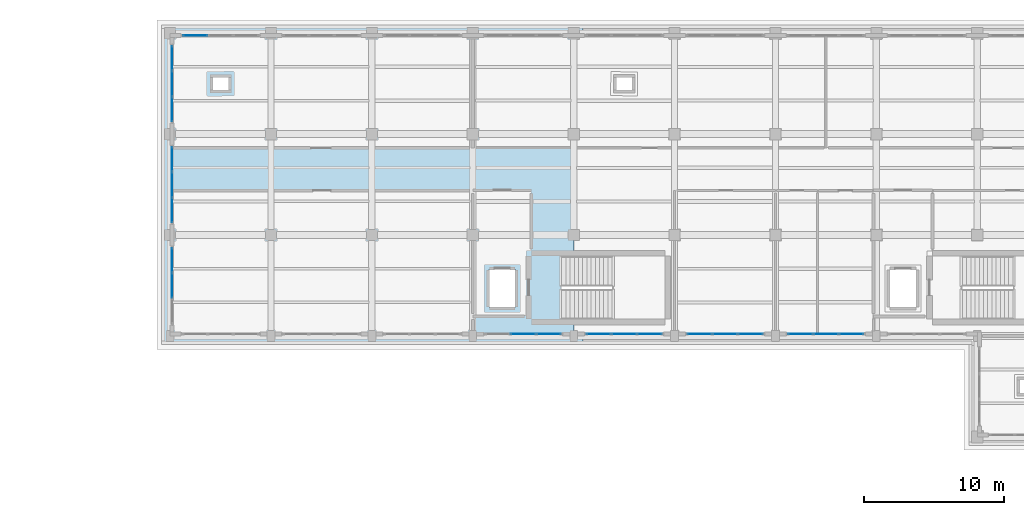
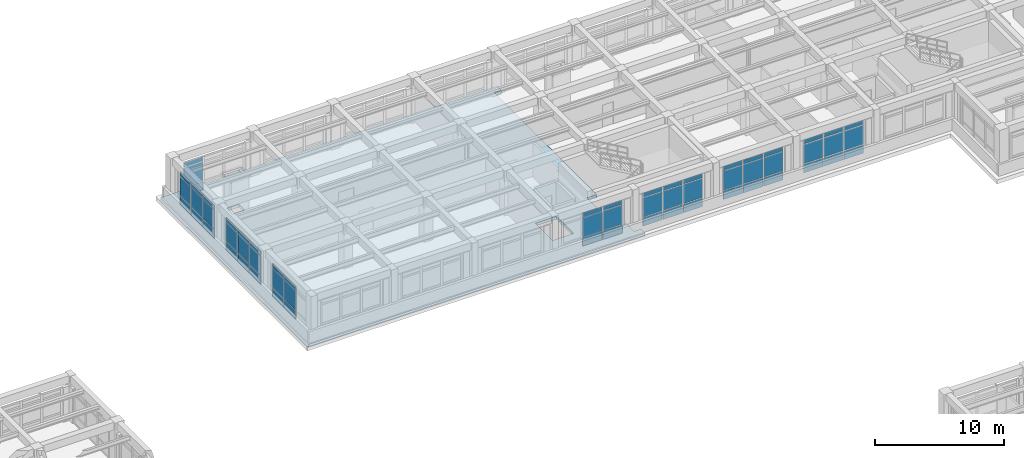
# One storey, part 73 of 98: 60 plates, 1 slab, 8 elements without a shape of their own.
"""IFC4 building model written with IfcOpenShell, lengths in metres."""

from ifc_helpers import new_model, si_unit, direction, frame, origin, origin_2d, place, context, subcontext, project, spatial, polyline, rectangle, outline, extrude, material, layer, layer_set, type_object, element, aggregate, save


model = new_model("IFC4")

# Units and contexts
model_context = context("Model", 3, precision=1e-05, world=origin(), true_north=direction((0.0, 1.0)))
body_context = subcontext(model_context, "Body", "Model", "MODEL_VIEW")
ifc_project = project(units=[si_unit("LENGTHUNIT", "METRE"), si_unit("AREAUNIT", "SQUARE_METRE"), si_unit("VOLUMEUNIT", "CUBIC_METRE"), si_unit("PLANEANGLEUNIT", "RADIAN"), si_unit("MASSUNIT", "GRAM", prefix="KILO")], contexts=[model_context])

# Site, building, storey
site_placement = place(None, origin())
site = spatial("IfcSite", under=ifc_project, at=site_placement, CompositionType="ELEMENT")
building_placement = place(site_placement, origin())
building = spatial("IfcBuilding", under=site, at=building_placement, Name="Solenvale Faculty of Natural Sciences", CompositionType="ELEMENT")
storey_placement = place(building_placement, frame((0.0, 0.0, 9.0)))
storey = spatial("IfcBuildingStorey", under=building, at=storey_placement, Name="L02", CompositionType="ELEMENT", Elevation=9.0)

# Curtain wall, plates
ifc_material_1 = material(Name="Anodised bronze aluminium", Category="aluminium")
ifc_layer_1 = layer(ifc_material_1, 0.179931640625)
ifc_layer_set_1 = layer_set([ifc_layer_1], Name="Anodised bronze aluminium")
curtain_wall_type = type_object("IfcCurtainWallType", Name="CW-TWR-MOD", PredefinedType="USERDEFINED", material=ifc_layer_set_1)
curtain_wall_1_placement = place(storey_placement, origin())
curtain_wall_1 = element("IfcCurtainWall", 1, at=curtain_wall_1_placement, inside=storey, type_object=curtain_wall_type, Name="L02 Curtain Wall CW-L02-P2-E6-B7", ObjectType="UNITISED CURTAIN WALL", PredefinedType="USERDEFINED")
ifc_material_2 = material(Name="North-light skylight glass", Category="glass")
ifc_layer_2 = layer(ifc_material_2, 0.028076171875)
ifc_layer_set_2 = layer_set([ifc_layer_2], Name="North-light skylight glass")
plate_type_1 = type_object("IfcPlateType", Name="CWP-PNL-28", PredefinedType="CURTAIN_PANEL", material=ifc_layer_set_2)
plate_1_placement = place(storey_placement, frame((124.185302734375, 93.742431640625, 0.074951171875), z_axis=(0.0, 0.0, 1.0), x_axis=(1.0, 0.0, 0.0)))
plate_1 = element("IfcPlate", 2, at=plate_1_placement, type_object=plate_type_1, Name="CW-04 panel 1.1", PredefinedType="CURTAIN_PANEL", context=body_context, shape_type="SweptSolid", body=[
    extrude(rectangle(XDim=1.720947265625, YDim=0.028076171875, at=origin_2d()), origin(), (0.0, 0.0, 1.0), 0.78759765625),
])
plate_2_placement = place(storey_placement, frame((124.185302734375, 93.742431640625, 0.9375), z_axis=(0.0, 0.0, 1.0), x_axis=(1.0, 0.0, 0.0)))
plate_2 = element("IfcPlate", 3, at=plate_2_placement, type_object=plate_type_1, Name="CW-04 panel 1.2", PredefinedType="CURTAIN_PANEL", context=body_context, shape_type="SweptSolid", body=[
    extrude(rectangle(XDim=1.720947265625, YDim=0.028076171875, at=origin_2d()), origin(), (0.0, 0.0, 1.0), 1.784912109375),
])
plate_3_placement = place(storey_placement, frame((124.185302734375, 93.742431640625, 2.79736328125), z_axis=(0.0, 0.0, 1.0), x_axis=(1.0, 0.0, 0.0)))
plate_3 = element("IfcPlate", 4, at=plate_3_placement, type_object=plate_type_1, Name="CW-04 panel 1.3", PredefinedType="CURTAIN_PANEL", context=body_context, shape_type="SweptSolid", body=[
    extrude(rectangle(XDim=1.720947265625, YDim=0.028076171875, at=origin_2d()), origin(), (0.0, 0.0, 1.0), 0.387451171875),
])
plate_4_placement = place(storey_placement, frame((126.0, 93.742431640625, 0.074951171875), z_axis=(0.0, 0.0, 1.0), x_axis=(1.0, 0.0, 0.0)))
plate_4 = element("IfcPlate", 5, at=plate_4_placement, type_object=plate_type_1, Name="CW-04 panel 2.1", PredefinedType="CURTAIN_PANEL", context=body_context, shape_type="SweptSolid", body=[
    extrude(rectangle(XDim=1.75830078125, YDim=0.028076171875, at=origin_2d()), origin(), (0.0, 0.0, 1.0), 0.78759765625),
])
plate_5_placement = place(storey_placement, frame((126.0, 93.742431640625, 0.9375), z_axis=(0.0, 0.0, 1.0), x_axis=(1.0, 0.0, 0.0)))
plate_5 = element("IfcPlate", 6, at=plate_5_placement, type_object=plate_type_1, Name="CW-04 panel 2.2", PredefinedType="CURTAIN_PANEL", context=body_context, shape_type="SweptSolid", body=[
    extrude(rectangle(XDim=1.75830078125, YDim=0.028076171875, at=origin_2d()), origin(), (0.0, 0.0, 1.0), 1.784912109375),
])
plate_6_placement = place(storey_placement, frame((126.0, 93.742431640625, 2.79736328125), z_axis=(0.0, 0.0, 1.0), x_axis=(1.0, 0.0, 0.0)))
plate_6 = element("IfcPlate", 7, at=plate_6_placement, type_object=plate_type_1, Name="CW-04 panel 2.3", PredefinedType="CURTAIN_PANEL", context=body_context, shape_type="SweptSolid", body=[
    extrude(rectangle(XDim=1.75830078125, YDim=0.028076171875, at=origin_2d()), origin(), (0.0, 0.0, 1.0), 0.387451171875),
])
plate_7_placement = place(storey_placement, frame((127.814697265625, 93.742431640625, 0.074951171875), z_axis=(0.0, 0.0, 1.0), x_axis=(1.0, 0.0, 0.0)))
plate_7 = element("IfcPlate", 8, at=plate_7_placement, type_object=plate_type_1, Name="CW-04 panel 3.1", PredefinedType="CURTAIN_PANEL", context=body_context, shape_type="SweptSolid", body=[
    extrude(rectangle(XDim=1.720947265625, YDim=0.028076171875, at=origin_2d()), origin(), (0.0, 0.0, 1.0), 0.78759765625),
])
plate_8_placement = place(storey_placement, frame((127.814697265625, 93.742431640625, 0.9375), z_axis=(0.0, 0.0, 1.0), x_axis=(1.0, 0.0, 0.0)))
plate_8 = element("IfcPlate", 9, at=plate_8_placement, type_object=plate_type_1, Name="CW-04 panel 3.2", PredefinedType="CURTAIN_PANEL", context=body_context, shape_type="SweptSolid", body=[
    extrude(rectangle(XDim=1.720947265625, YDim=0.028076171875, at=origin_2d()), origin(), (0.0, 0.0, 1.0), 1.784912109375),
])
plate_9_placement = place(storey_placement, frame((127.814697265625, 93.742431640625, 2.79736328125), z_axis=(0.0, 0.0, 1.0), x_axis=(1.0, 0.0, 0.0)))
plate_9 = element("IfcPlate", 10, at=plate_9_placement, type_object=plate_type_1, Name="CW-04 panel 3.3", PredefinedType="CURTAIN_PANEL", context=body_context, shape_type="SweptSolid", body=[
    extrude(rectangle(XDim=1.720947265625, YDim=0.028076171875, at=origin_2d()), origin(), (0.0, 0.0, 1.0), 0.387451171875),
])
aggregate(curtain_wall_1, [plate_1, plate_2, plate_3, plate_4, plate_5, plate_6, plate_7, plate_8, plate_9])

curtain_wall_2_placement = place(storey_placement, origin())
curtain_wall_2 = element("IfcCurtainWall", 11, at=curtain_wall_2_placement, inside=storey, type_object=curtain_wall_type, Name="L02 Curtain Wall CW-L02-P2-E4-B10", ObjectType="UNITISED CURTAIN WALL", PredefinedType="USERDEFINED")
ifc_material_3 = material(Name="Triple low-E insulated glass", Category="glass")
ifc_layer_3 = layer(ifc_material_3, 0.031982421875)
ifc_layer_set_3 = layer_set([ifc_layer_3], Name="Triple low-E insulated glass")
plate_type_2 = type_object("IfcPlateType", Name="CWP-PNL-32", PredefinedType="CURTAIN_PANEL", material=ifc_layer_set_3)
plate_10_placement = place(storey_placement, frame((80.9853515625, 115.0576171875, 0.074951171875), z_axis=(0.0, 0.0, 1.0), x_axis=(-1.0, 0.0, 0.0)))
plate_10 = element("IfcPlate", 12, at=plate_10_placement, type_object=plate_type_2, Name="CW-04 panel 3.1", PredefinedType="CURTAIN_PANEL", context=body_context, shape_type="SweptSolid", body=[
    extrude(rectangle(XDim=1.720947265625, YDim=0.031982421875, at=origin_2d()), origin(), (0.0, 0.0, 1.0), 0.78759765625),
])
plate_11_placement = place(storey_placement, frame((80.9853515625, 115.0576171875, 0.9375), z_axis=(0.0, 0.0, 1.0), x_axis=(-1.0, 0.0, 0.0)))
plate_11 = element("IfcPlate", 13, at=plate_11_placement, type_object=plate_type_2, Name="CW-04 panel 3.2", PredefinedType="CURTAIN_PANEL", context=body_context, shape_type="SweptSolid", body=[
    extrude(rectangle(XDim=1.720947265625, YDim=0.031982421875, at=origin_2d()), origin(), (0.0, 0.0, 1.0), 1.784912109375),
])
plate_12_placement = place(storey_placement, frame((80.9853515625, 115.0576171875, 2.79736328125), z_axis=(0.0, 0.0, 1.0), x_axis=(-1.0, 0.0, 0.0)))
plate_12 = element("IfcPlate", 14, at=plate_12_placement, type_object=plate_type_2, Name="CW-04 panel 3.3", PredefinedType="CURTAIN_PANEL", context=body_context, shape_type="SweptSolid", body=[
    extrude(rectangle(XDim=1.720947265625, YDim=0.031982421875, at=origin_2d()), origin(), (0.0, 0.0, 1.0), 0.387451171875),
])
aggregate(curtain_wall_2, [plate_10, plate_11, plate_12])

curtain_wall_3_placement = place(storey_placement, origin())
curtain_wall_3 = element("IfcCurtainWall", 15, at=curtain_wall_3_placement, inside=storey, type_object=curtain_wall_type, Name="L02 Curtain Wall CW-L02-P2-E5-B1", ObjectType="UNITISED CURTAIN WALL", PredefinedType="USERDEFINED")
plate_13_placement = place(storey_placement, frame((79.342529296875, 113.41455078125, 0.074951171875), z_axis=(0.0, 0.0, 1.0), x_axis=(0.0, -1.0, 0.0)))
plate_13 = element("IfcPlate", 16, at=plate_13_placement, type_object=plate_type_2, Name="CW-04 panel 1.1", PredefinedType="CURTAIN_PANEL", context=body_context, shape_type="SweptSolid", body=[
    extrude(rectangle(XDim=1.720947265625, YDim=0.031982421875, at=origin_2d()), origin(), (0.0, 0.0, 1.0), 0.78759765625),
])
plate_14_placement = place(storey_placement, frame((79.342529296875, 113.41455078125, 0.9375), z_axis=(0.0, 0.0, 1.0), x_axis=(0.0, -1.0, 0.0)))
plate_14 = element("IfcPlate", 17, at=plate_14_placement, type_object=plate_type_2, Name="CW-04 panel 1.2", PredefinedType="CURTAIN_PANEL", context=body_context, shape_type="SweptSolid", body=[
    extrude(rectangle(XDim=1.720947265625, YDim=0.031982421875, at=origin_2d()), origin(), (0.0, 0.0, 1.0), 1.784912109375),
])
plate_15_placement = place(storey_placement, frame((79.342529296875, 113.41455078125, 2.79736328125), z_axis=(0.0, 0.0, 1.0), x_axis=(0.0, -1.0, 0.0)))
plate_15 = element("IfcPlate", 18, at=plate_15_placement, type_object=plate_type_2, Name="CW-04 panel 1.3", PredefinedType="CURTAIN_PANEL", context=body_context, shape_type="SweptSolid", body=[
    extrude(rectangle(XDim=1.720947265625, YDim=0.031982421875, at=origin_2d()), origin(), (0.0, 0.0, 1.0), 0.387451171875),
])
plate_16_placement = place(storey_placement, frame((79.342529296875, 111.60009765625, 0.074951171875), z_axis=(0.0, 0.0, 1.0), x_axis=(0.0, -1.0, 0.0)))
plate_16 = element("IfcPlate", 19, at=plate_16_placement, type_object=plate_type_2, Name="CW-04 panel 2.1", PredefinedType="CURTAIN_PANEL", context=body_context, shape_type="SweptSolid", body=[
    extrude(rectangle(XDim=1.75830078125, YDim=0.031982421875, at=origin_2d()), origin(), (0.0, 0.0, 1.0), 0.78759765625),
])
plate_17_placement = place(storey_placement, frame((79.342529296875, 111.60009765625, 0.9375), z_axis=(0.0, 0.0, 1.0), x_axis=(0.0, -1.0, 0.0)))
plate_17 = element("IfcPlate", 20, at=plate_17_placement, type_object=plate_type_2, Name="CW-04 panel 2.2", PredefinedType="CURTAIN_PANEL", context=body_context, shape_type="SweptSolid", body=[
    extrude(rectangle(XDim=1.75830078125, YDim=0.031982421875, at=origin_2d()), origin(), (0.0, 0.0, 1.0), 1.784912109375),
])
plate_18_placement = place(storey_placement, frame((79.342529296875, 111.60009765625, 2.79736328125), z_axis=(0.0, 0.0, 1.0), x_axis=(0.0, -1.0, 0.0)))
plate_18 = element("IfcPlate", 21, at=plate_18_placement, type_object=plate_type_2, Name="CW-04 panel 2.3", PredefinedType="CURTAIN_PANEL", context=body_context, shape_type="SweptSolid", body=[
    extrude(rectangle(XDim=1.75830078125, YDim=0.031982421875, at=origin_2d()), origin(), (0.0, 0.0, 1.0), 0.387451171875),
])
plate_19_placement = place(storey_placement, frame((79.342529296875, 109.785400390625, 0.074951171875), z_axis=(0.0, 0.0, 1.0), x_axis=(0.0, -1.0, 0.0)))
plate_19 = element("IfcPlate", 22, at=plate_19_placement, type_object=plate_type_2, Name="CW-04 panel 3.1", PredefinedType="CURTAIN_PANEL", context=body_context, shape_type="SweptSolid", body=[
    extrude(rectangle(XDim=1.720947265625, YDim=0.031982421875, at=origin_2d()), origin(), (0.0, 0.0, 1.0), 0.78759765625),
])
plate_20_placement = place(storey_placement, frame((79.342529296875, 109.785400390625, 0.9375), z_axis=(0.0, 0.0, 1.0), x_axis=(0.0, -1.0, 0.0)))
plate_20 = element("IfcPlate", 23, at=plate_20_placement, type_object=plate_type_2, Name="CW-04 panel 3.2", PredefinedType="CURTAIN_PANEL", context=body_context, shape_type="SweptSolid", body=[
    extrude(rectangle(XDim=1.720947265625, YDim=0.031982421875, at=origin_2d()), origin(), (0.0, 0.0, 1.0), 1.784912109375),
])
plate_21_placement = place(storey_placement, frame((79.342529296875, 109.785400390625, 2.79736328125), z_axis=(0.0, 0.0, 1.0), x_axis=(0.0, -1.0, 0.0)))
plate_21 = element("IfcPlate", 24, at=plate_21_placement, type_object=plate_type_2, Name="CW-04 panel 3.3", PredefinedType="CURTAIN_PANEL", context=body_context, shape_type="SweptSolid", body=[
    extrude(rectangle(XDim=1.720947265625, YDim=0.031982421875, at=origin_2d()), origin(), (0.0, 0.0, 1.0), 0.387451171875),
])
aggregate(curtain_wall_3, [plate_13, plate_14, plate_15, plate_16, plate_17, plate_18, plate_19, plate_20, plate_21])

curtain_wall_4_placement = place(storey_placement, origin())
curtain_wall_4 = element("IfcCurtainWall", 25, at=curtain_wall_4_placement, inside=storey, type_object=curtain_wall_type, Name="L02 Curtain Wall CW-L02-P2-E5-B2", ObjectType="UNITISED CURTAIN WALL", PredefinedType="USERDEFINED")
ifc_layer_4 = layer(ifc_material_3, 0.035888671875)
ifc_layer_set_4 = layer_set([ifc_layer_4], Name="Triple low-E insulated glass")
plate_type_3 = type_object("IfcPlateType", Name="CWP-PNL-36", PredefinedType="CURTAIN_PANEL", material=ifc_layer_set_4)
plate_22_placement = place(storey_placement, frame((79.342529296875, 106.214599609375, 0.074951171875), z_axis=(0.0, 0.0, 1.0), x_axis=(0.0, -1.0, 0.0)))
plate_22 = element("IfcPlate", 26, at=plate_22_placement, type_object=plate_type_3, Name="CW-04 panel 1.1", PredefinedType="CURTAIN_PANEL", context=body_context, shape_type="SweptSolid", body=[
    extrude(rectangle(XDim=1.720947265625, YDim=0.035888671875, at=origin_2d()), origin(), (0.0, 0.0, 1.0), 0.78759765625),
])
plate_23_placement = place(storey_placement, frame((79.342529296875, 106.214599609375, 0.9375), z_axis=(0.0, 0.0, 1.0), x_axis=(0.0, -1.0, 0.0)))
plate_23 = element("IfcPlate", 27, at=plate_23_placement, type_object=plate_type_3, Name="CW-04 panel 1.2", PredefinedType="CURTAIN_PANEL", context=body_context, shape_type="SweptSolid", body=[
    extrude(rectangle(XDim=1.720947265625, YDim=0.035888671875, at=origin_2d()), origin(), (0.0, 0.0, 1.0), 1.784912109375),
])
plate_24_placement = place(storey_placement, frame((79.342529296875, 106.214599609375, 2.79736328125), z_axis=(0.0, 0.0, 1.0), x_axis=(0.0, -1.0, 0.0)))
plate_24 = element("IfcPlate", 28, at=plate_24_placement, type_object=plate_type_3, Name="CW-04 panel 1.3", PredefinedType="CURTAIN_PANEL", context=body_context, shape_type="SweptSolid", body=[
    extrude(rectangle(XDim=1.720947265625, YDim=0.035888671875, at=origin_2d()), origin(), (0.0, 0.0, 1.0), 0.387451171875),
])
plate_25_placement = place(storey_placement, frame((79.342529296875, 104.39990234375, 0.074951171875), z_axis=(0.0, 0.0, 1.0), x_axis=(0.0, -1.0, 0.0)))
plate_25 = element("IfcPlate", 29, at=plate_25_placement, type_object=plate_type_3, Name="CW-04 panel 2.1", PredefinedType="CURTAIN_PANEL", context=body_context, shape_type="SweptSolid", body=[
    extrude(rectangle(XDim=1.75830078125, YDim=0.035888671875, at=origin_2d()), origin(), (0.0, 0.0, 1.0), 0.78759765625),
])
plate_26_placement = place(storey_placement, frame((79.342529296875, 104.39990234375, 0.9375), z_axis=(0.0, 0.0, 1.0), x_axis=(0.0, -1.0, 0.0)))
plate_26 = element("IfcPlate", 30, at=plate_26_placement, type_object=plate_type_3, Name="CW-04 panel 2.2", PredefinedType="CURTAIN_PANEL", context=body_context, shape_type="SweptSolid", body=[
    extrude(rectangle(XDim=1.75830078125, YDim=0.035888671875, at=origin_2d()), origin(), (0.0, 0.0, 1.0), 1.784912109375),
])
plate_27_placement = place(storey_placement, frame((79.342529296875, 104.39990234375, 2.79736328125), z_axis=(0.0, 0.0, 1.0), x_axis=(0.0, -1.0, 0.0)))
plate_27 = element("IfcPlate", 31, at=plate_27_placement, type_object=plate_type_3, Name="CW-04 panel 2.3", PredefinedType="CURTAIN_PANEL", context=body_context, shape_type="SweptSolid", body=[
    extrude(rectangle(XDim=1.75830078125, YDim=0.035888671875, at=origin_2d()), origin(), (0.0, 0.0, 1.0), 0.387451171875),
])
plate_28_placement = place(storey_placement, frame((79.342529296875, 102.58544921875, 0.074951171875), z_axis=(0.0, 0.0, 1.0), x_axis=(0.0, -1.0, 0.0)))
plate_28 = element("IfcPlate", 32, at=plate_28_placement, type_object=plate_type_3, Name="CW-04 panel 3.1", PredefinedType="CURTAIN_PANEL", context=body_context, shape_type="SweptSolid", body=[
    extrude(rectangle(XDim=1.720947265625, YDim=0.035888671875, at=origin_2d()), origin(), (0.0, 0.0, 1.0), 0.78759765625),
])
plate_29_placement = place(storey_placement, frame((79.342529296875, 102.58544921875, 0.9375), z_axis=(0.0, 0.0, 1.0), x_axis=(0.0, -1.0, 0.0)))
plate_29 = element("IfcPlate", 33, at=plate_29_placement, type_object=plate_type_3, Name="CW-04 panel 3.2", PredefinedType="CURTAIN_PANEL", context=body_context, shape_type="SweptSolid", body=[
    extrude(rectangle(XDim=1.720947265625, YDim=0.035888671875, at=origin_2d()), origin(), (0.0, 0.0, 1.0), 1.784912109375),
])
plate_30_placement = place(storey_placement, frame((79.342529296875, 102.58544921875, 2.79736328125), z_axis=(0.0, 0.0, 1.0), x_axis=(0.0, -1.0, 0.0)))
plate_30 = element("IfcPlate", 34, at=plate_30_placement, type_object=plate_type_3, Name="CW-04 panel 3.3", PredefinedType="CURTAIN_PANEL", context=body_context, shape_type="SweptSolid", body=[
    extrude(rectangle(XDim=1.720947265625, YDim=0.035888671875, at=origin_2d()), origin(), (0.0, 0.0, 1.0), 0.387451171875),
])
aggregate(curtain_wall_4, [plate_22, plate_23, plate_24, plate_25, plate_26, plate_27, plate_28, plate_29, plate_30])

curtain_wall_5_placement = place(storey_placement, origin())
curtain_wall_5 = element("IfcCurtainWall", 35, at=curtain_wall_5_placement, inside=storey, type_object=curtain_wall_type, Name="L02 Curtain Wall CW-L02-P2-E5-B3", ObjectType="UNITISED CURTAIN WALL", PredefinedType="USERDEFINED")
ifc_layer_5 = layer(ifc_material_3, 0.0400390625)
ifc_layer_set_5 = layer_set([ifc_layer_5], Name="Triple low-E insulated glass")
plate_type_4 = type_object("IfcPlateType", Name="CWP-PNL-40", PredefinedType="CURTAIN_PANEL", material=ifc_layer_set_5)
plate_31_placement = place(storey_placement, frame((79.342529296875, 99.0146484375, 0.074951171875), z_axis=(0.0, 0.0, 1.0), x_axis=(0.0, -1.0, 0.0)))
plate_31 = element("IfcPlate", 36, at=plate_31_placement, type_object=plate_type_4, Name="CW-04 panel 1.1", PredefinedType="CURTAIN_PANEL", context=body_context, shape_type="SweptSolid", body=[
    extrude(rectangle(XDim=1.720947265625, YDim=0.0400390625, at=origin_2d()), origin(), (0.0, 0.0, 1.0), 0.78759765625),
])
plate_32_placement = place(storey_placement, frame((79.342529296875, 99.0146484375, 0.9375), z_axis=(0.0, 0.0, 1.0), x_axis=(0.0, -1.0, 0.0)))
plate_32 = element("IfcPlate", 37, at=plate_32_placement, type_object=plate_type_4, Name="CW-04 panel 1.2", PredefinedType="CURTAIN_PANEL", context=body_context, shape_type="SweptSolid", body=[
    extrude(rectangle(XDim=1.720947265625, YDim=0.0400390625, at=origin_2d()), origin(), (0.0, 0.0, 1.0), 1.784912109375),
])
plate_33_placement = place(storey_placement, frame((79.342529296875, 99.0146484375, 2.79736328125), z_axis=(0.0, 0.0, 1.0), x_axis=(0.0, -1.0, 0.0)))
plate_33 = element("IfcPlate", 38, at=plate_33_placement, type_object=plate_type_4, Name="CW-04 panel 1.3", PredefinedType="CURTAIN_PANEL", context=body_context, shape_type="SweptSolid", body=[
    extrude(rectangle(XDim=1.720947265625, YDim=0.0400390625, at=origin_2d()), origin(), (0.0, 0.0, 1.0), 0.387451171875),
])
plate_34_placement = place(storey_placement, frame((79.342529296875, 97.199951171875, 0.074951171875), z_axis=(0.0, 0.0, 1.0), x_axis=(0.0, -1.0, 0.0)))
plate_34 = element("IfcPlate", 39, at=plate_34_placement, type_object=plate_type_4, Name="CW-04 panel 2.1", PredefinedType="CURTAIN_PANEL", context=body_context, shape_type="SweptSolid", body=[
    extrude(rectangle(XDim=1.75830078125, YDim=0.0400390625, at=origin_2d()), origin(), (0.0, 0.0, 1.0), 0.78759765625),
])
plate_35_placement = place(storey_placement, frame((79.342529296875, 97.199951171875, 0.9375), z_axis=(0.0, 0.0, 1.0), x_axis=(0.0, -1.0, 0.0)))
plate_35 = element("IfcPlate", 40, at=plate_35_placement, type_object=plate_type_4, Name="CW-04 panel 2.2", PredefinedType="CURTAIN_PANEL", context=body_context, shape_type="SweptSolid", body=[
    extrude(rectangle(XDim=1.75830078125, YDim=0.0400390625, at=origin_2d()), origin(), (0.0, 0.0, 1.0), 1.784912109375),
])
plate_36_placement = place(storey_placement, frame((79.342529296875, 97.199951171875, 2.79736328125), z_axis=(0.0, 0.0, 1.0), x_axis=(0.0, -1.0, 0.0)))
plate_36 = element("IfcPlate", 41, at=plate_36_placement, type_object=plate_type_4, Name="CW-04 panel 2.3", PredefinedType="CURTAIN_PANEL", context=body_context, shape_type="SweptSolid", body=[
    extrude(rectangle(XDim=1.75830078125, YDim=0.0400390625, at=origin_2d()), origin(), (0.0, 0.0, 1.0), 0.387451171875),
])
aggregate(curtain_wall_5, [plate_31, plate_32, plate_33, plate_34, plate_35, plate_36])

curtain_wall_6_placement = place(storey_placement, origin())
curtain_wall_6 = element("IfcCurtainWall", 42, at=curtain_wall_6_placement, inside=storey, type_object=curtain_wall_type, Name="L02 Curtain Wall CW-L02-P2-E6-B4", ObjectType="UNITISED CURTAIN WALL", PredefinedType="USERDEFINED")
ifc_layer_6 = layer(ifc_material_1, 0.048095703125)
ifc_layer_set_6 = layer_set([ifc_layer_6], Name="Anodised bronze aluminium")
plate_type_5 = type_object("IfcPlateType", Name="CWP-PNL-48", PredefinedType="CURTAIN_PANEL", material=ifc_layer_set_6)
plate_37_placement = place(storey_placement, frame((104.39990234375, 93.742431640625, 0.074951171875), z_axis=(0.0, 0.0, 1.0), x_axis=(1.0, 0.0, 0.0)))
plate_37 = element("IfcPlate", 43, at=plate_37_placement, type_object=plate_type_5, Name="CW-04 panel 2.1", PredefinedType="CURTAIN_PANEL", context=body_context, shape_type="SweptSolid", body=[
    extrude(rectangle(XDim=1.75830078125, YDim=0.048095703125, at=origin_2d()), origin(), (0.0, 0.0, 1.0), 0.78759765625),
])
plate_38_placement = place(storey_placement, frame((104.39990234375, 93.742431640625, 0.9375), z_axis=(0.0, 0.0, 1.0), x_axis=(1.0, 0.0, 0.0)))
plate_38 = element("IfcPlate", 44, at=plate_38_placement, type_object=plate_type_5, Name="CW-04 panel 2.2", PredefinedType="CURTAIN_PANEL", context=body_context, shape_type="SweptSolid", body=[
    extrude(rectangle(XDim=1.75830078125, YDim=0.048095703125, at=origin_2d()), origin(), (0.0, 0.0, 1.0), 1.784912109375),
])
plate_39_placement = place(storey_placement, frame((104.39990234375, 93.742431640625, 2.79736328125), z_axis=(0.0, 0.0, 1.0), x_axis=(1.0, 0.0, 0.0)))
plate_39 = element("IfcPlate", 45, at=plate_39_placement, type_object=plate_type_5, Name="CW-04 panel 2.3", PredefinedType="CURTAIN_PANEL", context=body_context, shape_type="SweptSolid", body=[
    extrude(rectangle(XDim=1.75830078125, YDim=0.048095703125, at=origin_2d()), origin(), (0.0, 0.0, 1.0), 0.387451171875),
])
plate_40_placement = place(storey_placement, frame((106.214599609375, 93.742431640625, 0.074951171875), z_axis=(0.0, 0.0, 1.0), x_axis=(1.0, 0.0, 0.0)))
plate_40 = element("IfcPlate", 46, at=plate_40_placement, type_object=plate_type_5, Name="CW-04 panel 3.1", PredefinedType="CURTAIN_PANEL", context=body_context, shape_type="SweptSolid", body=[
    extrude(rectangle(XDim=1.720947265625, YDim=0.048095703125, at=origin_2d()), origin(), (0.0, 0.0, 1.0), 0.78759765625),
])
plate_41_placement = place(storey_placement, frame((106.214599609375, 93.742431640625, 0.9375), z_axis=(0.0, 0.0, 1.0), x_axis=(1.0, 0.0, 0.0)))
plate_41 = element("IfcPlate", 47, at=plate_41_placement, type_object=plate_type_5, Name="CW-04 panel 3.2", PredefinedType="CURTAIN_PANEL", context=body_context, shape_type="SweptSolid", body=[
    extrude(rectangle(XDim=1.720947265625, YDim=0.048095703125, at=origin_2d()), origin(), (0.0, 0.0, 1.0), 1.784912109375),
])
plate_42_placement = place(storey_placement, frame((106.214599609375, 93.742431640625, 2.79736328125), z_axis=(0.0, 0.0, 1.0), x_axis=(1.0, 0.0, 0.0)))
plate_42 = element("IfcPlate", 48, at=plate_42_placement, type_object=plate_type_5, Name="CW-04 panel 3.3", PredefinedType="CURTAIN_PANEL", context=body_context, shape_type="SweptSolid", body=[
    extrude(rectangle(XDim=1.720947265625, YDim=0.048095703125, at=origin_2d()), origin(), (0.0, 0.0, 1.0), 0.387451171875),
])
aggregate(curtain_wall_6, [plate_37, plate_38, plate_39, plate_40, plate_41, plate_42])

curtain_wall_7_placement = place(storey_placement, origin())
curtain_wall_7 = element("IfcCurtainWall", 49, at=curtain_wall_7_placement, inside=storey, type_object=curtain_wall_type, Name="L02 Curtain Wall CW-L02-P2-E6-B5", ObjectType="UNITISED CURTAIN WALL", PredefinedType="USERDEFINED")
ifc_layer_7 = layer(ifc_material_1, 0.053955078125)
ifc_layer_set_7 = layer_set([ifc_layer_7], Name="Anodised bronze aluminium")
plate_type_6 = type_object("IfcPlateType", Name="CWP-PNL-54", PredefinedType="CURTAIN_PANEL", material=ifc_layer_set_7)
plate_43_placement = place(storey_placement, frame((109.785400390625, 93.742431640625, 0.074951171875), z_axis=(0.0, 0.0, 1.0), x_axis=(1.0, 0.0, 0.0)))
plate_43 = element("IfcPlate", 50, at=plate_43_placement, type_object=plate_type_6, Name="CW-04 panel 1.1", PredefinedType="CURTAIN_PANEL", context=body_context, shape_type="SweptSolid", body=[
    extrude(rectangle(XDim=1.720947265625, YDim=0.053955078125, at=origin_2d()), origin(), (0.0, 0.0, 1.0), 0.78759765625),
])
plate_44_placement = place(storey_placement, frame((109.785400390625, 93.742431640625, 0.9375), z_axis=(0.0, 0.0, 1.0), x_axis=(1.0, 0.0, 0.0)))
plate_44 = element("IfcPlate", 51, at=plate_44_placement, type_object=plate_type_6, Name="CW-04 panel 1.2", PredefinedType="CURTAIN_PANEL", context=body_context, shape_type="SweptSolid", body=[
    extrude(rectangle(XDim=1.720947265625, YDim=0.053955078125, at=origin_2d()), origin(), (0.0, 0.0, 1.0), 1.784912109375),
])
plate_45_placement = place(storey_placement, frame((109.785400390625, 93.742431640625, 2.79736328125), z_axis=(0.0, 0.0, 1.0), x_axis=(1.0, 0.0, 0.0)))
plate_45 = element("IfcPlate", 52, at=plate_45_placement, type_object=plate_type_6, Name="CW-04 panel 1.3", PredefinedType="CURTAIN_PANEL", context=body_context, shape_type="SweptSolid", body=[
    extrude(rectangle(XDim=1.720947265625, YDim=0.053955078125, at=origin_2d()), origin(), (0.0, 0.0, 1.0), 0.387451171875),
])
plate_46_placement = place(storey_placement, frame((111.60009765625, 93.742431640625, 0.074951171875), z_axis=(0.0, 0.0, 1.0), x_axis=(1.0, 0.0, 0.0)))
plate_46 = element("IfcPlate", 53, at=plate_46_placement, type_object=plate_type_6, Name="CW-04 panel 2.1", PredefinedType="CURTAIN_PANEL", context=body_context, shape_type="SweptSolid", body=[
    extrude(rectangle(XDim=1.75830078125, YDim=0.053955078125, at=origin_2d()), origin(), (0.0, 0.0, 1.0), 0.78759765625),
])
plate_47_placement = place(storey_placement, frame((111.60009765625, 93.742431640625, 0.9375), z_axis=(0.0, 0.0, 1.0), x_axis=(1.0, 0.0, 0.0)))
plate_47 = element("IfcPlate", 54, at=plate_47_placement, type_object=plate_type_6, Name="CW-04 panel 2.2", PredefinedType="CURTAIN_PANEL", context=body_context, shape_type="SweptSolid", body=[
    extrude(rectangle(XDim=1.75830078125, YDim=0.053955078125, at=origin_2d()), origin(), (0.0, 0.0, 1.0), 1.784912109375),
])
plate_48_placement = place(storey_placement, frame((111.60009765625, 93.742431640625, 2.79736328125), z_axis=(0.0, 0.0, 1.0), x_axis=(1.0, 0.0, 0.0)))
plate_48 = element("IfcPlate", 55, at=plate_48_placement, type_object=plate_type_6, Name="CW-04 panel 2.3", PredefinedType="CURTAIN_PANEL", context=body_context, shape_type="SweptSolid", body=[
    extrude(rectangle(XDim=1.75830078125, YDim=0.053955078125, at=origin_2d()), origin(), (0.0, 0.0, 1.0), 0.387451171875),
])
plate_49_placement = place(storey_placement, frame((113.41455078125, 93.742431640625, 0.074951171875), z_axis=(0.0, 0.0, 1.0), x_axis=(1.0, 0.0, 0.0)))
plate_49 = element("IfcPlate", 56, at=plate_49_placement, type_object=plate_type_6, Name="CW-04 panel 3.1", PredefinedType="CURTAIN_PANEL", context=body_context, shape_type="SweptSolid", body=[
    extrude(rectangle(XDim=1.720947265625, YDim=0.053955078125, at=origin_2d()), origin(), (0.0, 0.0, 1.0), 0.78759765625),
])
plate_50_placement = place(storey_placement, frame((113.41455078125, 93.742431640625, 0.9375), z_axis=(0.0, 0.0, 1.0), x_axis=(1.0, 0.0, 0.0)))
plate_50 = element("IfcPlate", 57, at=plate_50_placement, type_object=plate_type_6, Name="CW-04 panel 3.2", PredefinedType="CURTAIN_PANEL", context=body_context, shape_type="SweptSolid", body=[
    extrude(rectangle(XDim=1.720947265625, YDim=0.053955078125, at=origin_2d()), origin(), (0.0, 0.0, 1.0), 1.784912109375),
])
plate_51_placement = place(storey_placement, frame((113.41455078125, 93.742431640625, 2.79736328125), z_axis=(0.0, 0.0, 1.0), x_axis=(1.0, 0.0, 0.0)))
plate_51 = element("IfcPlate", 58, at=plate_51_placement, type_object=plate_type_6, Name="CW-04 panel 3.3", PredefinedType="CURTAIN_PANEL", context=body_context, shape_type="SweptSolid", body=[
    extrude(rectangle(XDim=1.720947265625, YDim=0.053955078125, at=origin_2d()), origin(), (0.0, 0.0, 1.0), 0.387451171875),
])
aggregate(curtain_wall_7, [plate_43, plate_44, plate_45, plate_46, plate_47, plate_48, plate_49, plate_50, plate_51])

curtain_wall_8_placement = place(storey_placement, origin())
curtain_wall_8 = element("IfcCurtainWall", 59, at=curtain_wall_8_placement, inside=storey, type_object=curtain_wall_type, Name="L02 Curtain Wall CW-L02-P2-E6-B6", ObjectType="UNITISED CURTAIN WALL", PredefinedType="USERDEFINED")
ifc_layer_8 = layer(ifc_material_1, 0.06005859375)
ifc_layer_set_8 = layer_set([ifc_layer_8], Name="Anodised bronze aluminium")
plate_type_7 = type_object("IfcPlateType", Name="CWP-PNL-60", PredefinedType="CURTAIN_PANEL", material=ifc_layer_set_8)
plate_52_placement = place(storey_placement, frame((116.9853515625, 93.742431640625, 0.074951171875), z_axis=(0.0, 0.0, 1.0), x_axis=(1.0, 0.0, 0.0)))
plate_52 = element("IfcPlate", 60, at=plate_52_placement, type_object=plate_type_7, Name="CW-04 panel 1.1", PredefinedType="CURTAIN_PANEL", context=body_context, shape_type="SweptSolid", body=[
    extrude(rectangle(XDim=1.720947265625, YDim=0.06005859375, at=origin_2d()), origin(), (0.0, 0.0, 1.0), 0.78759765625),
])
plate_53_placement = place(storey_placement, frame((116.9853515625, 93.742431640625, 0.9375), z_axis=(0.0, 0.0, 1.0), x_axis=(1.0, 0.0, 0.0)))
plate_53 = element("IfcPlate", 61, at=plate_53_placement, type_object=plate_type_7, Name="CW-04 panel 1.2", PredefinedType="CURTAIN_PANEL", context=body_context, shape_type="SweptSolid", body=[
    extrude(rectangle(XDim=1.720947265625, YDim=0.06005859375, at=origin_2d()), origin(), (0.0, 0.0, 1.0), 1.784912109375),
])
plate_54_placement = place(storey_placement, frame((116.9853515625, 93.742431640625, 2.79736328125), z_axis=(0.0, 0.0, 1.0), x_axis=(1.0, 0.0, 0.0)))
plate_54 = element("IfcPlate", 62, at=plate_54_placement, type_object=plate_type_7, Name="CW-04 panel 1.3", PredefinedType="CURTAIN_PANEL", context=body_context, shape_type="SweptSolid", body=[
    extrude(rectangle(XDim=1.720947265625, YDim=0.06005859375, at=origin_2d()), origin(), (0.0, 0.0, 1.0), 0.387451171875),
])
plate_55_placement = place(storey_placement, frame((118.800048828125, 93.742431640625, 0.074951171875), z_axis=(0.0, 0.0, 1.0), x_axis=(1.0, 0.0, 0.0)))
plate_55 = element("IfcPlate", 63, at=plate_55_placement, type_object=plate_type_7, Name="CW-04 panel 2.1", PredefinedType="CURTAIN_PANEL", context=body_context, shape_type="SweptSolid", body=[
    extrude(rectangle(XDim=1.75830078125, YDim=0.06005859375, at=origin_2d()), origin(), (0.0, 0.0, 1.0), 0.78759765625),
])
plate_56_placement = place(storey_placement, frame((118.800048828125, 93.742431640625, 0.9375), z_axis=(0.0, 0.0, 1.0), x_axis=(1.0, 0.0, 0.0)))
plate_56 = element("IfcPlate", 64, at=plate_56_placement, type_object=plate_type_7, Name="CW-04 panel 2.2", PredefinedType="CURTAIN_PANEL", context=body_context, shape_type="SweptSolid", body=[
    extrude(rectangle(XDim=1.75830078125, YDim=0.06005859375, at=origin_2d()), origin(), (0.0, 0.0, 1.0), 1.784912109375),
])
plate_57_placement = place(storey_placement, frame((118.800048828125, 93.742431640625, 2.79736328125), z_axis=(0.0, 0.0, 1.0), x_axis=(1.0, 0.0, 0.0)))
plate_57 = element("IfcPlate", 65, at=plate_57_placement, type_object=plate_type_7, Name="CW-04 panel 2.3", PredefinedType="CURTAIN_PANEL", context=body_context, shape_type="SweptSolid", body=[
    extrude(rectangle(XDim=1.75830078125, YDim=0.06005859375, at=origin_2d()), origin(), (0.0, 0.0, 1.0), 0.387451171875),
])
plate_58_placement = place(storey_placement, frame((120.614501953125, 93.742431640625, 0.074951171875), z_axis=(0.0, 0.0, 1.0), x_axis=(1.0, 0.0, 0.0)))
plate_58 = element("IfcPlate", 66, at=plate_58_placement, type_object=plate_type_7, Name="CW-04 panel 3.1", PredefinedType="CURTAIN_PANEL", context=body_context, shape_type="SweptSolid", body=[
    extrude(rectangle(XDim=1.720947265625, YDim=0.06005859375, at=origin_2d()), origin(), (0.0, 0.0, 1.0), 0.78759765625),
])
plate_59_placement = place(storey_placement, frame((120.614501953125, 93.742431640625, 0.9375), z_axis=(0.0, 0.0, 1.0), x_axis=(1.0, 0.0, 0.0)))
plate_59 = element("IfcPlate", 67, at=plate_59_placement, type_object=plate_type_7, Name="CW-04 panel 3.2", PredefinedType="CURTAIN_PANEL", context=body_context, shape_type="SweptSolid", body=[
    extrude(rectangle(XDim=1.720947265625, YDim=0.06005859375, at=origin_2d()), origin(), (0.0, 0.0, 1.0), 1.784912109375),
])
plate_60_placement = place(storey_placement, frame((120.614501953125, 93.742431640625, 2.79736328125), z_axis=(0.0, 0.0, 1.0), x_axis=(1.0, 0.0, 0.0)))
plate_60 = element("IfcPlate", 68, at=plate_60_placement, type_object=plate_type_7, Name="CW-04 panel 3.3", PredefinedType="CURTAIN_PANEL", context=body_context, shape_type="SweptSolid", body=[
    extrude(rectangle(XDim=1.720947265625, YDim=0.06005859375, at=origin_2d()), origin(), (0.0, 0.0, 1.0), 0.387451171875),
])
aggregate(curtain_wall_8, [plate_52, plate_53, plate_54, plate_55, plate_56, plate_57, plate_58, plate_59, plate_60])

# Slab
ifc_material_4 = material(Name="Concrete 40 MPa", Category="concrete")
ifc_layer_9 = layer(ifc_material_4, 0.280029296875)
ifc_layer_set_9 = layer_set([ifc_layer_9], Name="Concrete 40 MPa")
slab_type = type_object("IfcSlabType", Name="SL-FLR-280", PredefinedType="FLOOR", material=ifc_layer_set_9)
slab_placement = place(storey_placement, frame((0.0, 0.0, -0.280029296875)))
element("IfcSlab", 69, at=slab_placement, inside=storey, type_object=slab_type, Name="L02 V5 Floor Slab 1.1", PredefinedType="FLOOR", context=body_context, shape_type="SweptSolid", body=[
    extrude(outline(polyline([(107.139892578125, 94.800048828125), (108.0048828125, 94.800048828125), (108.0244140625, 94.791015625), (108.030029296875, 94.77490234375), (108.031005859375, 93.593505859375), (108.0498046875, 93.580078125), (108.655029296875, 93.580078125), (108.672607421875, 93.57275390625), (108.679931640625, 93.554931640625), (108.679931640625, 92.945068359375), (108.6708984375, 92.92578125), (108.655029296875, 92.919921875), (78.531005859375, 92.92431640625), (78.52001953125, 92.945068359375), (78.524169921875, 115.868896484375), (78.544921875, 115.8798828125), (108.6689453125, 115.875732421875), (108.679931640625, 115.85498046875), (108.679931640625, 115.2451171875), (108.672607421875, 115.227294921875), (108.655029296875, 115.219970703125), (108.0498046875, 115.219970703125), (108.036376953125, 115.214599609375), (108.030029296875, 115.201416015625), (108.030029296875, 99.324951171875), (108.022705078125, 99.307373046875), (108.0048828125, 99.300048828125), (107.139892578125, 99.300048828125), (107.139892578125, 94.800048828125)]), holes=[polyline([(101.9599609375, 95.659912109375), (103.840087890625, 95.659912109375), (103.840087890625, 98.340087890625), (101.9599609375, 98.340087890625), (101.9599609375, 95.659912109375)]), polyline([(82.25, 111.14990234375), (83.35009765625, 111.14990234375), (83.35009765625, 112.050048828125), (82.25, 112.050048828125), (82.25, 111.14990234375)])]), origin(), (0.0, 0.0, 1.0), 0.280029296875),
])

save(model, "model.ifc")
